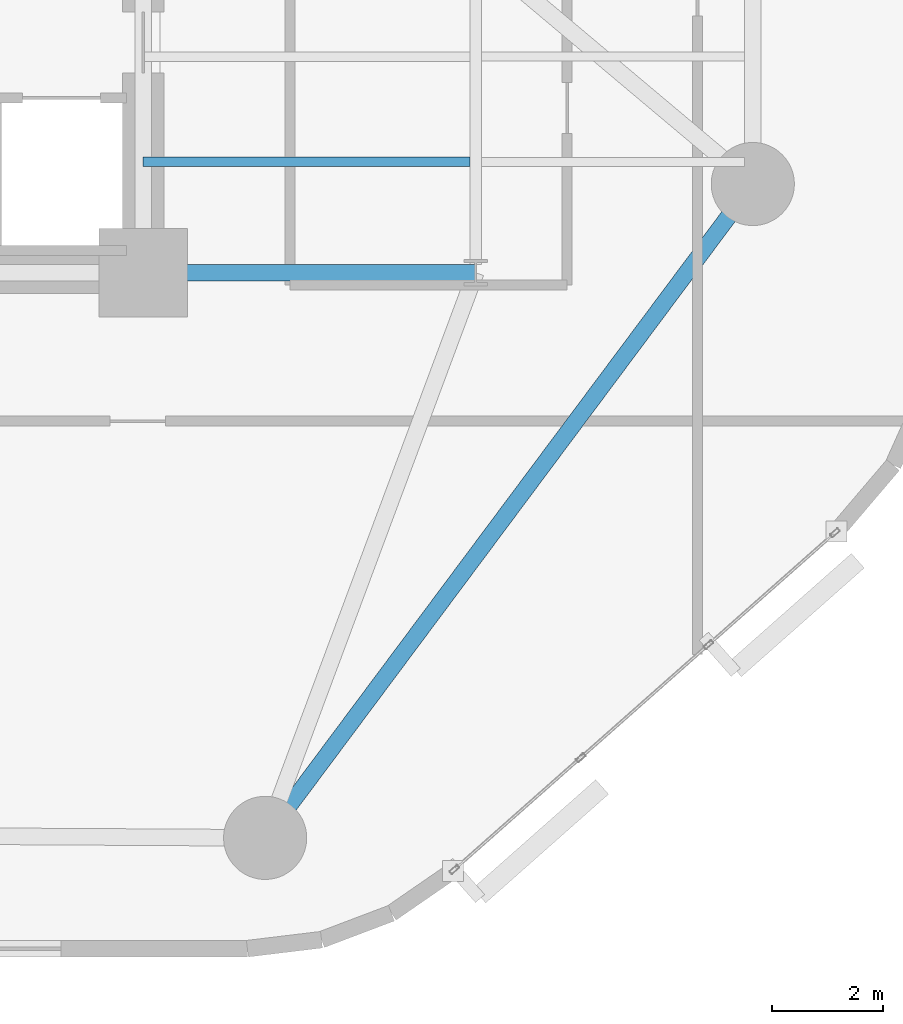
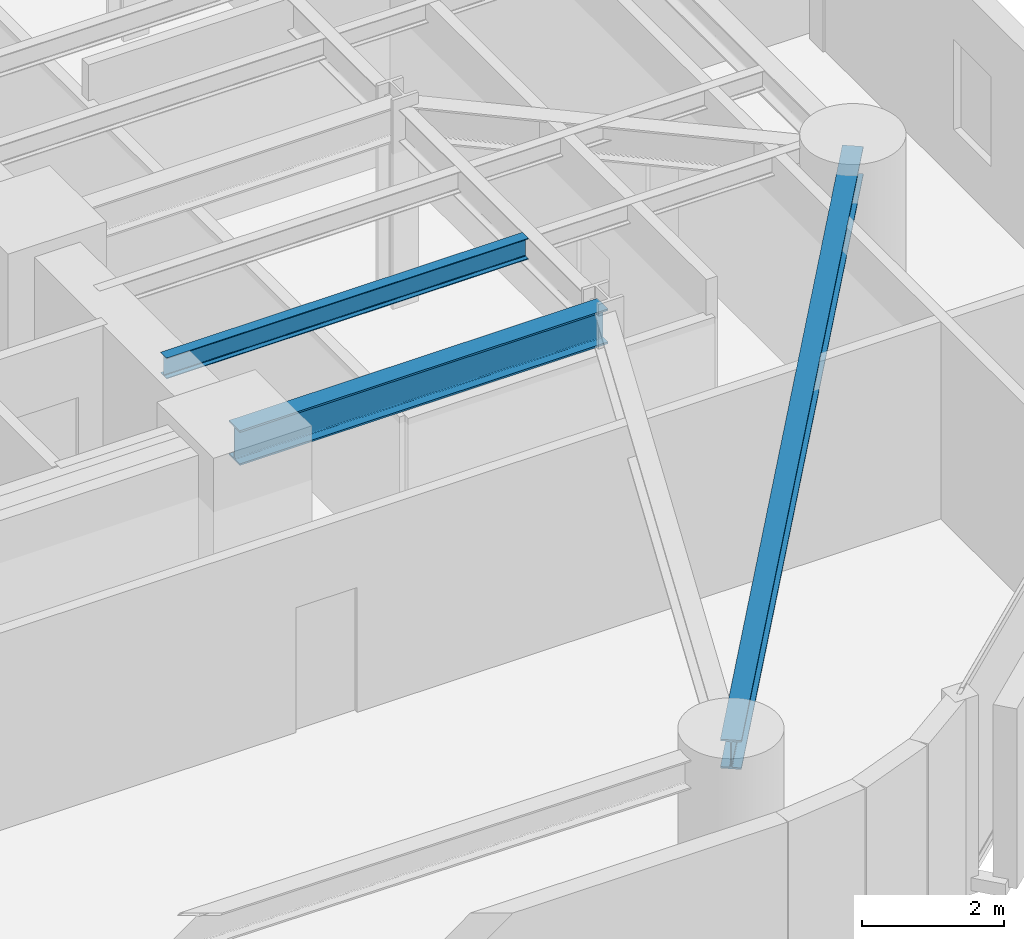
# One storey, part 3 of 16: 3 beams.
"""IFC4 building model written with IfcOpenShell, lengths in metres."""

import ifcopenshell
import ifcopenshell.guid

model = None  # the IFC model being written
_history = None  # IfcOwnerHistory: only IFC2X3 demands one
_inside = {}  # id of a spatial element -> (the spatial element, [elements in it])
_under = {}  # id of a project, library or spatial element -> (it, [spatial elements below it])
_declared = {}  # id of a project -> (the project, [libraries it declares])
_typed = {}  # id of a type object -> (the type object, [elements of that type])
_made_of = {}  # id of a material, layer set ... -> (it, [elements and type objects made of it])


def new_model(schema):
    """Start an empty IFC model of exactly this schema.

    Asked for "IFC4X3", IfcOpenShell would pick the latest addendum, in which some entities
    have other attributes; the version numbers below select the first issue.
    IFC2X3 requires an IfcOwnerHistory on every rooted entity: one is made here for all.
    """
    global model, _history
    if schema == "IFC4X3":
        model = ifcopenshell.file(schema_version=(4, 3, 0, 0))
    else:
        model = ifcopenshell.file(schema=schema)
    _inside.clear()
    _under.clear()
    _declared.clear()
    _typed.clear()
    _made_of.clear()
    _history = None
    if model.schema == "IFC2X3":
        org = make("IfcOrganization", Name="unknown")
        user = make(
            "IfcPersonAndOrganization",
            ThePerson=make("IfcPerson", FamilyName="unknown"),
            TheOrganization=org,
        )
        app = make(
            "IfcApplication",
            ApplicationDeveloper=org,
            Version="unknown",
            ApplicationFullName="unknown",
            ApplicationIdentifier="unknown",
        )
        _history = make(
            "IfcOwnerHistory",
            OwningUser=user,
            OwningApplication=app,
            ChangeAction="ADDED",
            CreationDate=0,
        )
    return model


def make(cls, **values):
    """One entity of the class cls with the attributes given. An attribute that is None is left unset."""
    return model.create_entity(
        cls, **{name: value for name, value in values.items() if value is not None}
    )


def rooted(cls, **values):
    """An entity with a GlobalId (a new one), such as an element, a storey or a relation."""
    return make(cls, GlobalId=ifcopenshell.guid.new(), OwnerHistory=_history, **values)


def si_unit(unit_type, name, prefix=None):
    """IfcSIUnit, for example si_unit("LENGTHUNIT", "METRE", prefix="MILLI")."""
    return make("IfcSIUnit", UnitType=unit_type, Prefix=prefix, Name=name)


def assignment(units):
    """IfcUnitAssignment: the units of a project."""
    return None if units is None else make("IfcUnitAssignment", Units=units)


def point(xyz):
    """IfcCartesianPoint."""
    return None if xyz is None else make("IfcCartesianPoint", Coordinates=xyz)


def direction(xyz):
    """IfcDirection."""
    return None if xyz is None else make("IfcDirection", DirectionRatios=xyz)


def frame(location, z_axis=None, x_axis=None):
    """IfcAxis2Placement3D, a coordinate frame: its origin and axes. An axis left out is left unset."""
    return make(
        "IfcAxis2Placement3D",
        Location=point(location),
        Axis=direction(z_axis),
        RefDirection=direction(x_axis),
    )


def frame_2d(location, x_axis=None):
    """IfcAxis2Placement2D, a coordinate frame in the plane: its origin and x axis."""
    return make(
        "IfcAxis2Placement2D", Location=point(location), RefDirection=direction(x_axis)
    )


def origin():
    """The frame at (0, 0, 0) with its axes left unset."""
    return frame((0.0, 0.0, 0.0))


def origin_2d():
    """The frame at (0, 0) in the plane with its x axis left unset."""
    return frame_2d((0.0, 0.0))


def place(relative_to, where):
    """IfcLocalPlacement: puts the frame where relative to a parent placement (None: the world)."""
    return make(
        "IfcLocalPlacement", PlacementRelTo=relative_to, RelativePlacement=where
    )


def context(
    kind, dimensions, precision=None, world=None, true_north=None, identifier=None
):
    """IfcGeometricRepresentationContext, for example the 3D "Model" context."""
    return make(
        "IfcGeometricRepresentationContext",
        ContextIdentifier=identifier,
        ContextType=kind,
        CoordinateSpaceDimension=dimensions,
        Precision=precision,
        WorldCoordinateSystem=world,
        TrueNorth=true_north,
    )


def subcontext(parent, identifier, kind, view, scale=None):
    """IfcGeometricRepresentationSubContext, for example "Body" below "Model"."""
    return make(
        "IfcGeometricRepresentationSubContext",
        ContextIdentifier=identifier,
        ContextType=kind,
        ParentContext=parent,
        TargetScale=scale,
        TargetView=view,
    )


def project(units=None, contexts=None):
    """IfcProject with its units and contexts."""
    return rooted(
        "IfcProject",
        Name="project",
        RepresentationContexts=contexts,
        UnitsInContext=assignment(units),
    )


def spatial(cls, under=None, at=None, **own):
    """A site, building, storey or space (cls), placed at a placement, below another one or the project."""
    s = rooted(cls, ObjectPlacement=at, **own)
    if under is not None:
        _under.setdefault(under.id(), (under, []))[1].append(s)
    return s


def profile(cls, at=None, kind="AREA", **sizes):
    """A parametric profile (cls). Its sizes go by their IFC names, for example OverallWidth=200.0."""
    return make(cls, ProfileType=kind, Position=at, **sizes)


def i_section(**sizes):
    """IfcIShapeProfileDef."""
    return profile("IfcIShapeProfileDef", **sizes)


def extrude(swept, where, along, depth):
    """IfcExtrudedAreaSolid: the profile swept, set in the frame where, extruded along a direction by depth."""
    return make(
        "IfcExtrudedAreaSolid",
        SweptArea=swept,
        Position=where,
        ExtrudedDirection=direction(along),
        Depth=depth,
    )


def shape(context_of_items, identifier, shape_type, items):
    """IfcShapeRepresentation: the items that make up one representation, for example the "Body"."""
    return make(
        "IfcShapeRepresentation",
        ContextOfItems=context_of_items,
        RepresentationIdentifier=identifier,
        RepresentationType=shape_type,
        Items=items,
    )


def material(Name=None, Category=None):
    """IfcMaterial."""
    return make("IfcMaterial", Name=Name, Category=Category)


def material_profile(
    of_material, cross_section, Name=None, Category=None, Priority=None
):
    """IfcMaterialProfile: a cross section and its material."""
    return make(
        "IfcMaterialProfile",
        Name=Name,
        Material=of_material,
        Profile=cross_section,
        Priority=Priority,
        Category=Category,
    )


def profile_set(profiles, Name=None, composite=None):
    """IfcMaterialProfileSet."""
    return make(
        "IfcMaterialProfileSet",
        Name=Name,
        MaterialProfiles=profiles,
        CompositeProfile=composite,
    )


def made_of(thing, what):
    """Note that an element or type object is made of a material, layer set ...; save() writes the relation."""
    if what is not None:
        _made_of.setdefault(what.id(), (what, []))[1].append(thing)
    return thing


def type_object(cls, material=None, **own):
    """A type object (cls), such as IfcWallType, which elements share."""
    return made_of(rooted(cls, **own), material)


def element(
    cls,
    number,
    at=None,
    inside=None,
    cuts=None,
    type_object=None,
    material=None,
    context=None,
    identifier="Body",
    shape_type=None,
    held_by="IfcProductDefinitionShape",
    body=None,
    shapes=None,
    **own,
):
    """One element of the class cls, such as IfcWall. Its Tag is "e" and its number.

    at: its placement. inside: the storey or other place that contains it. cuts: it is an
    opening in that element (IfcRelVoidsElement). A single representation is given by context,
    identifier, shape_type and body (its items); several are given by shapes. held_by: the class
    of the entity that holds the representations. save() writes the other relations.
    """
    e = rooted(cls, Tag="e%d" % number, ObjectPlacement=at, **own)
    if body is not None:
        shapes = [shape(context, identifier, shape_type, body)]
    if shapes is not None:
        e.Representation = make(held_by, Representations=shapes)
    if inside is not None:
        _inside.setdefault(inside.id(), (inside, []))[1].append(e)
    if cuts is not None:
        rooted(
            "IfcRelVoidsElement", RelatingBuildingElement=cuts, RelatedOpeningElement=e
        )
    if type_object is not None:
        _typed.setdefault(type_object.id(), (type_object, []))[1].append(e)
    return made_of(e, material)


def aggregate(whole, parts):
    """IfcRelAggregates: a whole, such as a stair, and the parts it consists of."""
    return rooted("IfcRelAggregates", RelatingObject=whole, RelatedObjects=parts)


def save(model, path):
    """Write the relations noted so far, then the file.

    IfcRelAggregates (storeys below a building ...), IfcRelContainedInSpatialStructure (elements
    in a storey), IfcRelDefinesByType, IfcRelAssociatesMaterial and IfcRelDeclares: one each for
    every whole, place, type object, material and project.
    """
    for whole, parts in _under.values():
        aggregate(whole, parts)
    for where, things in _inside.values():
        rooted(
            "IfcRelContainedInSpatialStructure",
            RelatedElements=things,
            RelatingStructure=where,
        )
    for kind, things in _typed.values():
        rooted("IfcRelDefinesByType", RelatedObjects=things, RelatingType=kind)
    for what, things in _made_of.values():
        rooted("IfcRelAssociatesMaterial", RelatedObjects=things, RelatingMaterial=what)
    for by, libraries in _declared.values():
        rooted("IfcRelDeclares", RelatingContext=by, RelatedDefinitions=libraries)
    model.write(path)


model = new_model("IFC4")

# Units and contexts
model_context = context("Model", 3, precision=1e-05, world=origin(), true_north=direction((0.0, 1.0)))
body_context = subcontext(model_context, "Body", "Model", "MODEL_VIEW")
ifc_project = project(units=[si_unit("LENGTHUNIT", "METRE"), si_unit("AREAUNIT", "SQUARE_METRE"), si_unit("VOLUMEUNIT", "CUBIC_METRE"), si_unit("PLANEANGLEUNIT", "RADIAN"), si_unit("MASSUNIT", "GRAM", prefix="KILO")], contexts=[model_context])

# Site, building, storey
site_placement = place(None, origin())
site = spatial("IfcSite", under=ifc_project, at=site_placement, CompositionType="ELEMENT")
building_placement = place(site_placement, origin())
building = spatial("IfcBuilding", under=site, at=building_placement, Name="An Khanh Terracotta Commons", CompositionType="ELEMENT")
storey_placement = place(building_placement, frame((0.0, 0.0, 68.39990234375)))
storey = spatial("IfcBuildingStorey", under=building, at=storey_placement, Name="L18", CompositionType="ELEMENT", Elevation=68.39990234375)

# Beams
ifc_material = material(Name="Steel S355J2", Category="steel")
ifc_material_profile_1 = material_profile(ifc_material, i_section(OverallWidth=0.300048828125, OverallDepth=0.5, WebThickness=0.014404296875, FlangeThickness=0.028076171875, FilletRadius=0.027099609375, at=origin_2d()), Name="HEB500")
ifc_profile_set_1 = profile_set([ifc_material_profile_1], Name="Steel S355J2")
beam_type_1 = type_object("IfcBeamType", Name="BM-HEB500", PredefinedType="BEAM", material=ifc_profile_set_1)
beam_1_placement = place(storey_placement, frame((39.39990234375, 4.199951171875, 3.150146484375), z_axis=(0.59782442166, 0.801627070942, 0.0), x_axis=(-0.801627070942, 0.59782442166, 0.0)))
element("IfcBeam", 1, at=beam_1_placement, inside=storey, type_object=beam_type_1, Name="L18 Perimeter Ring Spandrel 2", PredefinedType="BEAM", context=body_context, shape_type="SweptSolid", body=[
    extrude(i_section(OverallWidth=0.300048828125, OverallDepth=0.5, WebThickness=0.014404296875, FlangeThickness=0.028076171875, FilletRadius=0.027099609375, at=origin_2d()), origin(), (0.0, 0.0, 1.0), 14.72021484375),
])
ifc_material_profile_2 = material_profile(ifc_material, i_section(OverallWidth=0.300048828125, OverallDepth=0.60009765625, WebThickness=0.015380859375, FlangeThickness=0.030029296875, FilletRadius=0.027099609375, at=origin_2d()), Name="HEB600")
ifc_profile_set_2 = profile_set([ifc_material_profile_2], Name="Steel S355J2")
beam_type_2 = type_object("IfcBeamType", Name="BM-HEB600", PredefinedType="BEAM", material=ifc_profile_set_2)
beam_2_placement = place(storey_placement, frame((37.199951171875, 14.39990234375, 3.10009765625), z_axis=(1.0, 0.0, 0.0), x_axis=(0.0, 1.0, 0.0)))
element("IfcBeam", 2, at=beam_2_placement, inside=storey, type_object=beam_type_2, Name="L18 East Primary Floor Girder 1", PredefinedType="BEAM", context=body_context, shape_type="SweptSolid", body=[
    extrude(i_section(OverallWidth=0.300048828125, OverallDepth=0.60009765625, WebThickness=0.015380859375, FlangeThickness=0.030029296875, FilletRadius=0.027099609375, at=origin_2d()), origin(), (0.0, 0.0, 1.0), 6.0),
])
ifc_material_profile_3 = material_profile(ifc_material, i_section(OverallWidth=0.169921875, OverallDepth=0.360107421875, WebThickness=0.008056640625, FlangeThickness=0.0126953125, FilletRadius=0.01806640625, at=origin_2d()), Name="IPE360")
ifc_profile_set_3 = profile_set([ifc_material_profile_3], Name="Steel S355J2")
beam_type_3 = type_object("IfcBeamType", Name="BM-IPE360", PredefinedType="JOIST", material=ifc_profile_set_3)
beam_3_placement = place(storey_placement, frame((37.199951171875, 16.39990234375, 3.22021484375), z_axis=(1.0, 0.0, 0.0), x_axis=(0.0, 1.0, 0.0)))
element("IfcBeam", 3, at=beam_3_placement, inside=storey, type_object=beam_type_3, Name="L18 Inboard Composite Joist 1", PredefinedType="JOIST", context=body_context, shape_type="SweptSolid", body=[
    extrude(i_section(OverallWidth=0.169921875, OverallDepth=0.360107421875, WebThickness=0.008056640625, FlangeThickness=0.0126953125, FilletRadius=0.01806640625, at=origin_2d()), origin(), (0.0, 0.0, 1.0), 5.89501953125),
])

save(model, "model.ifc")
